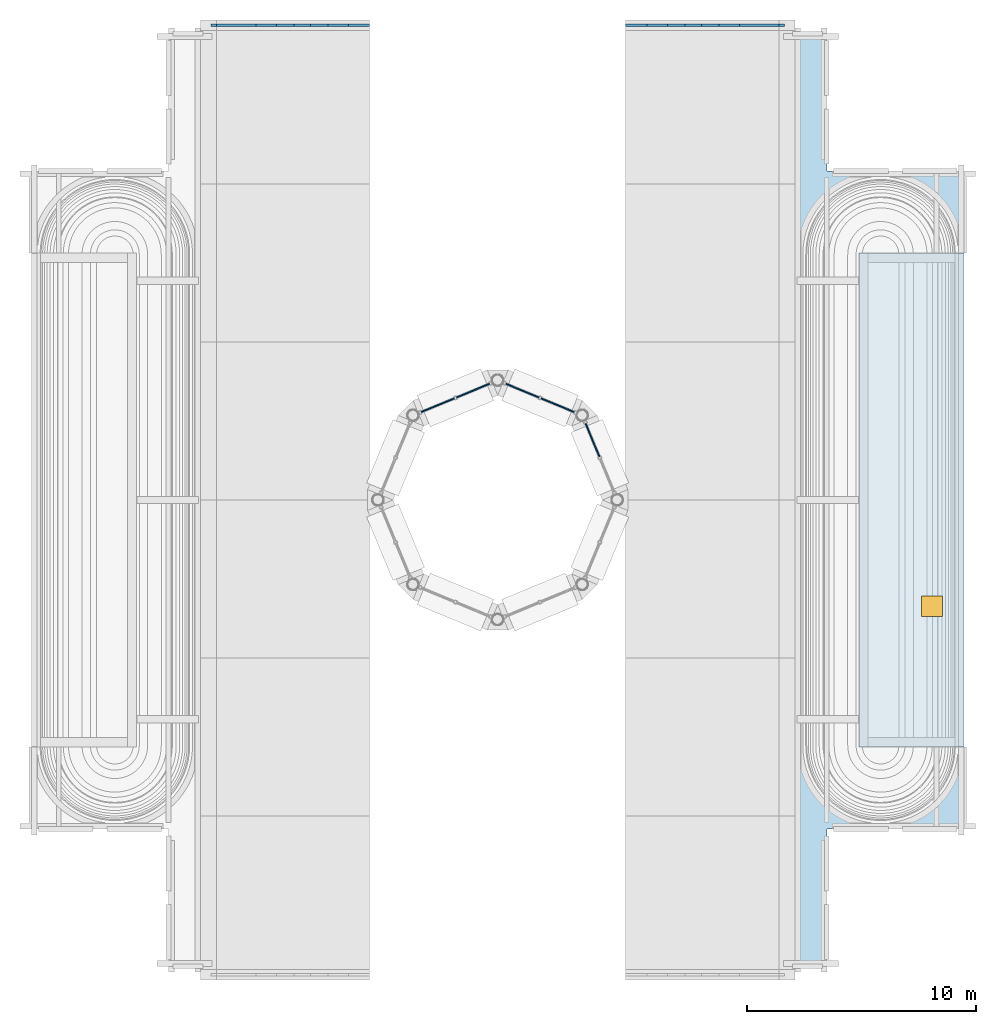
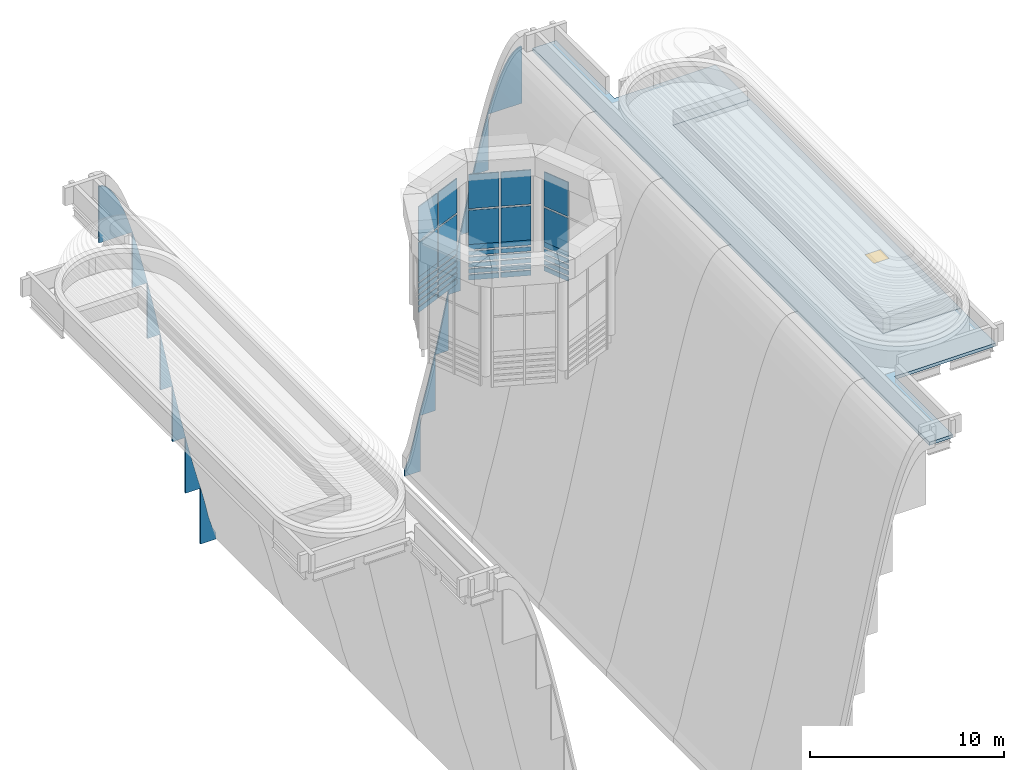
"""IFC4 building model written with IfcOpenShell, lengths in metres."""

from ifc_helpers import new_model, si_unit, direction, frame, origin, origin_2d, place, context, subcontext, project, spatial, polyline, rectangle, outline, extrude, material, layer, layer_set, type_object, element, fill, aggregate, save


model = new_model("IFC4")

# Units and contexts
model_context = context("Model", 3, precision=1e-05, world=origin(), true_north=direction((0.0, 1.0)))
body_context = subcontext(model_context, "Body", "Model", "MODEL_VIEW")
ifc_project = project(units=[si_unit("LENGTHUNIT", "METRE"), si_unit("AREAUNIT", "SQUARE_METRE"), si_unit("VOLUMEUNIT", "CUBIC_METRE"), si_unit("PLANEANGLEUNIT", "RADIAN"), si_unit("MASSUNIT", "GRAM", prefix="KILO")], contexts=[model_context])

# Site, building, storey
site_placement = place(None, origin())
site = spatial("IfcSite", under=ifc_project, at=site_placement, CompositionType="ELEMENT")
building_placement = place(site_placement, origin())
building = spatial("IfcBuilding", under=site, at=building_placement, Name="Cobrizo Arcos Hotel Tower", CompositionType="ELEMENT")
storey_1_placement = place(building_placement, frame((0.0, 0.0, 290.0)))
storey_1 = spatial("IfcBuildingStorey", under=building, at=storey_1_placement, Name="RF", CompositionType="ELEMENT", Elevation=290.0)

# Plates
ifc_material_1 = material(Name="Glass clear laminated low-e", Category="glass")
ifc_layer_1 = layer(ifc_material_1, 0.10009765625)
ifc_layer_set_1 = layer_set([ifc_layer_1], Name="CB-5 crown cheek glazing 100")
plate_type_1 = type_object("IfcPlateType", Name="CB-5 crown cheek glazing 100", PredefinedType="SHEET", material=ifc_layer_set_1)
plate_1_placement = place(storey_1_placement, frame((0.0, 20.72509765625, -24.5), z_axis=(0.0, 1.0, 0.0), x_axis=(-1.0, 0.0, 0.0)))
element("IfcPlate", 1, at=plate_1_placement, inside=storey_1, type_object=plate_type_1, Name="Crown cheek glazing WN0", PredefinedType="SHEET", context=body_context, shape_type="SweptSolid", body=[
    extrude(outline(polyline([(6.52392578125, 0.0), (6.52392578125, 3.56005859375), (6.29296875, 2.63818359375), (6.06201171875, 1.612548828125), (5.8310546875, 0.824951171875), (5.60009765625, 0.3984375), (5.60009765625, 0.0), (6.52392578125, 0.0)])), origin(), (0.0, 0.0, 1.0), 0.099853515625),
])
plate_2_placement = place(storey_1_placement, frame((0.0, 20.72509765625, -24.5), z_axis=(0.0, 1.0, 0.0), x_axis=(-1.0, 0.0, 0.0)))
element("IfcPlate", 2, at=plate_2_placement, inside=storey_1, type_object=plate_type_1, Name="Crown cheek glazing WN1", PredefinedType="SHEET", context=body_context, shape_type="SweptSolid", body=[
    extrude(outline(polyline([(7.422119140625, 3.5), (7.422119140625, 7.06005859375), (7.197509765625, 6.105712890625), (6.97314453125, 5.19970703125), (6.74853515625, 4.348876953125), (6.52392578125, 3.56005859375), (6.52392578125, 3.5), (7.422119140625, 3.5)])), origin(), (0.0, 0.0, 1.0), 0.099853515625),
])
plate_3_placement = place(storey_1_placement, frame((0.0, 20.72509765625, -24.5), z_axis=(0.0, 1.0, 0.0), x_axis=(-1.0, 0.0, 0.0)))
element("IfcPlate", 3, at=plate_3_placement, inside=storey_1, type_object=plate_type_1, Name="Crown cheek glazing WN2", PredefinedType="SHEET", context=body_context, shape_type="SweptSolid", body=[
    extrude(outline(polyline([(8.18505859375, 7.0), (8.18505859375, 10.56005859375), (7.9306640625, 9.360107421875), (7.676513671875, 8.189453125), (7.422119140625, 7.06005859375), (7.422119140625, 7.0), (8.18505859375, 7.0)])), origin(), (0.0, 0.0, 1.0), 0.099853515625),
])
plate_4_placement = place(storey_1_placement, frame((0.0, 20.72509765625, -24.5), z_axis=(0.0, 1.0, 0.0), x_axis=(-1.0, 0.0, 0.0)))
element("IfcPlate", 4, at=plate_4_placement, inside=storey_1, type_object=plate_type_1, Name="Crown cheek glazing WN3", PredefinedType="SHEET", context=body_context, shape_type="SweptSolid", body=[
    extrude(outline(polyline([(8.9150390625, 10.5), (8.9150390625, 14.06005859375), (8.671630859375, 12.895263671875), (8.42822265625, 11.724853515625), (8.18505859375, 10.56005859375), (8.18505859375, 10.5), (8.9150390625, 10.5)])), origin(), (0.0, 0.0, 1.0), 0.099853515625),
])
plate_5_placement = place(storey_1_placement, frame((0.0, 20.72509765625, -24.5), z_axis=(0.0, 1.0, 0.0), x_axis=(-1.0, 0.0, 0.0)))
element("IfcPlate", 5, at=plate_5_placement, inside=storey_1, type_object=plate_type_1, Name="Crown cheek glazing WN4", PredefinedType="SHEET", context=body_context, shape_type="SweptSolid", body=[
    extrude(outline(polyline([(9.677978515625, 14.0), (9.677978515625, 17.56005859375), (9.423583984375, 16.4306640625), (9.169189453125, 15.260009765625), (8.9150390625, 14.06005859375), (8.9150390625, 14.0), (9.677978515625, 14.0)])), origin(), (0.0, 0.0, 1.0), 0.099853515625),
])
plate_6_placement = place(storey_1_placement, frame((0.0, 20.72509765625, -24.5), z_axis=(0.0, 1.0, 0.0), x_axis=(-1.0, 0.0, 0.0)))
element("IfcPlate", 6, at=plate_6_placement, inside=storey_1, type_object=plate_type_1, Name="Crown cheek glazing WN5", PredefinedType="SHEET", context=body_context, shape_type="SweptSolid", body=[
    extrude(outline(polyline([(10.575927734375, 17.5), (10.575927734375, 21.06005859375), (10.3515625, 20.271240234375), (10.126953125, 19.420654296875), (9.90234375, 18.514404296875), (9.677978515625, 17.56005859375), (9.677978515625, 17.5), (10.575927734375, 17.5)])), origin(), (0.0, 0.0, 1.0), 0.099853515625),
])
plate_7_placement = place(storey_1_placement, frame((0.0, 20.72509765625, -24.5), z_axis=(0.0, 1.0, 0.0), x_axis=(-1.0, 0.0, 0.0)))
element("IfcPlate", 7, at=plate_7_placement, inside=storey_1, type_object=plate_type_1, Name="Crown cheek glazing WN6", PredefinedType="SHEET", context=body_context, shape_type="SweptSolid", body=[
    extrude(outline(polyline([(12.550048828125, 21.0), (12.550048828125, 24.56005859375), (12.30322265625, 24.502685546875), (12.056396484375, 24.330810546875), (11.809814453125, 24.046142578125), (11.56298828125, 23.6513671875), (11.31640625, 23.150390625), (11.069580078125, 22.54736328125), (10.82275390625, 21.8486328125), (10.575927734375, 21.06005859375), (10.575927734375, 21.0), (12.550048828125, 21.0)])), origin(), (0.0, 0.0, 1.0), 0.099853515625),
])
plate_8_placement = place(storey_1_placement, frame((0.0, 20.72509765625, -24.5), z_axis=(0.0, 1.0, 0.0), x_axis=(-1.0, 0.0, 0.0)))
element("IfcPlate", 8, at=plate_8_placement, inside=storey_1, type_object=plate_type_1, Name="Crown cheek glazing EN0", PredefinedType="SHEET", context=body_context, shape_type="SweptSolid", body=[
    extrude(outline(polyline([(-5.60009765625, 0.0), (-5.60009765625, 0.3984375), (-5.8310546875, 0.824951171875), (-6.06201171875, 1.612548828125), (-6.29296875, 2.63818359375), (-6.52392578125, 3.56005859375), (-6.52392578125, 0.0), (-5.60009765625, 0.0)])), origin(), (0.0, 0.0, 1.0), 0.099853515625),
])
plate_9_placement = place(storey_1_placement, frame((0.0, 20.72509765625, -24.5), z_axis=(0.0, 1.0, 0.0), x_axis=(-1.0, 0.0, 0.0)))
element("IfcPlate", 9, at=plate_9_placement, inside=storey_1, type_object=plate_type_1, Name="Crown cheek glazing EN1", PredefinedType="SHEET", context=body_context, shape_type="SweptSolid", body=[
    extrude(outline(polyline([(-6.52392578125, 3.5), (-6.52392578125, 3.56005859375), (-6.74853515625, 4.348876953125), (-6.97314453125, 5.19970703125), (-7.197509765625, 6.105712890625), (-7.422119140625, 7.06005859375), (-7.422119140625, 3.5), (-6.52392578125, 3.5)])), origin(), (0.0, 0.0, 1.0), 0.099853515625),
])
plate_10_placement = place(storey_1_placement, frame((0.0, 20.72509765625, -24.5), z_axis=(0.0, 1.0, 0.0), x_axis=(-1.0, 0.0, 0.0)))
element("IfcPlate", 10, at=plate_10_placement, inside=storey_1, type_object=plate_type_1, Name="Crown cheek glazing EN2", PredefinedType="SHEET", context=body_context, shape_type="SweptSolid", body=[
    extrude(outline(polyline([(-7.422119140625, 7.0), (-7.422119140625, 7.06005859375), (-7.676513671875, 8.189453125), (-7.9306640625, 9.360107421875), (-8.18505859375, 10.56005859375), (-8.18505859375, 7.0), (-7.422119140625, 7.0)])), origin(), (0.0, 0.0, 1.0), 0.099853515625),
])
plate_11_placement = place(storey_1_placement, frame((0.0, 20.72509765625, -24.5), z_axis=(0.0, 1.0, 0.0), x_axis=(-1.0, 0.0, 0.0)))
element("IfcPlate", 11, at=plate_11_placement, inside=storey_1, type_object=plate_type_1, Name="Crown cheek glazing EN3", PredefinedType="SHEET", context=body_context, shape_type="SweptSolid", body=[
    extrude(outline(polyline([(-8.18505859375, 10.5), (-8.18505859375, 10.56005859375), (-8.42822265625, 11.724853515625), (-8.671630859375, 12.895263671875), (-8.9150390625, 14.06005859375), (-8.9150390625, 10.5), (-8.18505859375, 10.5)])), origin(), (0.0, 0.0, 1.0), 0.099853515625),
])
plate_12_placement = place(storey_1_placement, frame((0.0, 20.72509765625, -24.5), z_axis=(0.0, 1.0, 0.0), x_axis=(-1.0, 0.0, 0.0)))
element("IfcPlate", 12, at=plate_12_placement, inside=storey_1, type_object=plate_type_1, Name="Crown cheek glazing EN4", PredefinedType="SHEET", context=body_context, shape_type="SweptSolid", body=[
    extrude(outline(polyline([(-8.9150390625, 14.0), (-8.9150390625, 14.06005859375), (-9.169189453125, 15.260009765625), (-9.423583984375, 16.4306640625), (-9.677978515625, 17.56005859375), (-9.677978515625, 14.0), (-8.9150390625, 14.0)])), origin(), (0.0, 0.0, 1.0), 0.099853515625),
])
plate_13_placement = place(storey_1_placement, frame((0.0, 20.72509765625, -24.5), z_axis=(0.0, 1.0, 0.0), x_axis=(-1.0, 0.0, 0.0)))
element("IfcPlate", 13, at=plate_13_placement, inside=storey_1, type_object=plate_type_1, Name="Crown cheek glazing EN5", PredefinedType="SHEET", context=body_context, shape_type="SweptSolid", body=[
    extrude(outline(polyline([(-9.677978515625, 17.5), (-9.677978515625, 17.56005859375), (-9.90234375, 18.514404296875), (-10.126953125, 19.420654296875), (-10.3515625, 20.271240234375), (-10.575927734375, 21.06005859375), (-10.575927734375, 17.5), (-9.677978515625, 17.5)])), origin(), (0.0, 0.0, 1.0), 0.099853515625),
])
plate_14_placement = place(storey_1_placement, frame((0.0, 20.72509765625, -24.5), z_axis=(0.0, 1.0, 0.0), x_axis=(-1.0, 0.0, 0.0)))
element("IfcPlate", 14, at=plate_14_placement, inside=storey_1, type_object=plate_type_1, Name="Crown cheek glazing EN6", PredefinedType="SHEET", context=body_context, shape_type="SweptSolid", body=[
    extrude(outline(polyline([(-10.575927734375, 21.0), (-10.575927734375, 21.06005859375), (-10.82275390625, 21.8486328125), (-11.069580078125, 22.54736328125), (-11.31640625, 23.150390625), (-11.56298828125, 23.6513671875), (-11.809814453125, 24.046142578125), (-12.056396484375, 24.330810546875), (-12.30322265625, 24.502685546875), (-12.550048828125, 24.56005859375), (-12.550048828125, 21.0), (-10.575927734375, 21.0)])), origin(), (0.0, 0.0, 1.0), 0.099853515625),
])

# Curtain wall, plates
ifc_material_2 = material(Name="Aluminium 6063-T6 anodised bronze", Category="aluminium")
curtain_wall_type = type_object("IfcCurtainWallType", Name="CW-D plant louvre wall", PredefinedType="NOTDEFINED", material=ifc_material_2)
curtain_wall_1_placement = place(storey_1_placement, origin())
curtain_wall_1 = element("IfcCurtainWall", 15, at=curtain_wall_1_placement, inside=storey_1, type_object=curtain_wall_type, Name="CW-D drum louvre wall t3L-1", PredefinedType="NOTDEFINED")
ifc_layer_2 = layer(ifc_material_1, 0.0400390625)
ifc_layer_set_2 = layer_set([ifc_layer_2], Name="CW-D glass panel")
plate_type_2 = type_object("IfcPlateType", Name="CW-D glass panel", PredefinedType="CURTAIN_PANEL", material=ifc_layer_set_2)
plate_15_placement = place(storey_1_placement, frame((4.147216796875, 2.62060546875, 1.400146484375), z_axis=(0.0, 0.0, 1.0), x_axis=(-0.382683432365, 0.923879532511, 0.0)))
plate_15 = element("IfcPlate", 16, at=plate_15_placement, type_object=plate_type_2, Name="CW-D louvre panel 2-0", PredefinedType="CURTAIN_PANEL", context=body_context, shape_type="SweptSolid", body=[
    extrude(rectangle(XDim=1.568359375, YDim=0.06005859375, at=origin_2d()), origin(), (0.0, 0.0, 1.0), 2.14990234375),
])
plate_16_placement = place(storey_1_placement, frame((4.147216796875, 2.62060546875, 3.650146484375), z_axis=(0.0, 0.0, 1.0), x_axis=(-0.382683432365, 0.923879532511, 0.0)))
plate_16 = element("IfcPlate", 17, at=plate_16_placement, type_object=plate_type_2, Name="CW-D louvre panel 2-1", PredefinedType="CURTAIN_PANEL", context=body_context, shape_type="SweptSolid", body=[
    extrude(rectangle(XDim=1.568359375, YDim=0.06005859375, at=origin_2d()), origin(), (0.0, 0.0, 1.0), 2.14990234375),
])
aggregate(curtain_wall_1, [plate_15, plate_16])

curtain_wall_2_placement = place(storey_1_placement, origin())
curtain_wall_2 = element("IfcCurtainWall", 18, at=curtain_wall_2_placement, inside=storey_1, type_object=curtain_wall_type, Name="CW-D drum louvre wall t3L-2", PredefinedType="NOTDEFINED")
plate_17_placement = place(storey_1_placement, frame((2.62060546875, 4.147216796875, 1.400146484375), z_axis=(0.0, 0.0, 1.0), x_axis=(-0.923879532511, 0.382683432365, 0.0)))
plate_17 = element("IfcPlate", 19, at=plate_17_placement, type_object=plate_type_2, Name="CW-D louvre panel 1-0", PredefinedType="CURTAIN_PANEL", context=body_context, shape_type="SweptSolid", body=[
    extrude(rectangle(XDim=1.568359375, YDim=0.06005859375, at=origin_2d()), origin(), (0.0, 0.0, 1.0), 2.14990234375),
])
plate_18_placement = place(storey_1_placement, frame((2.62060546875, 4.147216796875, 3.650146484375), z_axis=(0.0, 0.0, 1.0), x_axis=(-0.923879532511, 0.382683432365, 0.0)))
plate_18 = element("IfcPlate", 20, at=plate_18_placement, type_object=plate_type_2, Name="CW-D louvre panel 1-1", PredefinedType="CURTAIN_PANEL", context=body_context, shape_type="SweptSolid", body=[
    extrude(rectangle(XDim=1.568359375, YDim=0.06005859375, at=origin_2d()), origin(), (0.0, 0.0, 1.0), 2.14990234375),
])
plate_19_placement = place(storey_1_placement, frame((1.079345703125, 4.785400390625, 1.400146484375), z_axis=(0.0, 0.0, 1.0), x_axis=(-0.923879532511, 0.382683432365, 0.0)))
plate_19 = element("IfcPlate", 21, at=plate_19_placement, type_object=plate_type_2, Name="CW-D louvre panel 2-0", PredefinedType="CURTAIN_PANEL", context=body_context, shape_type="SweptSolid", body=[
    extrude(rectangle(XDim=1.568359375, YDim=0.06005859375, at=origin_2d()), origin(), (0.0, 0.0, 1.0), 2.14990234375),
])
plate_20_placement = place(storey_1_placement, frame((1.079345703125, 4.785400390625, 3.650146484375), z_axis=(0.0, 0.0, 1.0), x_axis=(-0.923879532511, 0.382683432365, 0.0)))
plate_20 = element("IfcPlate", 22, at=plate_20_placement, type_object=plate_type_2, Name="CW-D louvre panel 2-1", PredefinedType="CURTAIN_PANEL", context=body_context, shape_type="SweptSolid", body=[
    extrude(rectangle(XDim=1.568359375, YDim=0.06005859375, at=origin_2d()), origin(), (0.0, 0.0, 1.0), 2.14990234375),
])
aggregate(curtain_wall_2, [plate_17, plate_18, plate_19, plate_20])

curtain_wall_3_placement = place(storey_1_placement, origin())
curtain_wall_3 = element("IfcCurtainWall", 23, at=curtain_wall_3_placement, inside=storey_1, type_object=curtain_wall_type, Name="CW-D drum louvre wall t3L-3", PredefinedType="NOTDEFINED")
plate_21_placement = place(storey_1_placement, frame((-1.079345703125, 4.785400390625, 1.400146484375), z_axis=(0.0, 0.0, 1.0), x_axis=(-0.923879532511, -0.382683432365, 0.0)))
plate_21 = element("IfcPlate", 24, at=plate_21_placement, type_object=plate_type_2, Name="CW-D louvre panel 1-0", PredefinedType="CURTAIN_PANEL", context=body_context, shape_type="SweptSolid", body=[
    extrude(rectangle(XDim=1.568359375, YDim=0.06005859375, at=origin_2d()), origin(), (0.0, 0.0, 1.0), 2.14990234375),
])
plate_22_placement = place(storey_1_placement, frame((-1.079345703125, 4.785400390625, 3.650146484375), z_axis=(0.0, 0.0, 1.0), x_axis=(-0.923879532511, -0.382683432365, 0.0)))
plate_22 = element("IfcPlate", 25, at=plate_22_placement, type_object=plate_type_2, Name="CW-D louvre panel 1-1", PredefinedType="CURTAIN_PANEL", context=body_context, shape_type="SweptSolid", body=[
    extrude(rectangle(XDim=1.568359375, YDim=0.06005859375, at=origin_2d()), origin(), (0.0, 0.0, 1.0), 2.14990234375),
])
plate_23_placement = place(storey_1_placement, frame((-2.62060546875, 4.147216796875, 1.400146484375), z_axis=(0.0, 0.0, 1.0), x_axis=(-0.923879532511, -0.382683432365, 0.0)))
plate_23 = element("IfcPlate", 26, at=plate_23_placement, type_object=plate_type_2, Name="CW-D louvre panel 2-0", PredefinedType="CURTAIN_PANEL", context=body_context, shape_type="SweptSolid", body=[
    extrude(rectangle(XDim=1.568359375, YDim=0.06005859375, at=origin_2d()), origin(), (0.0, 0.0, 1.0), 2.14990234375),
])
plate_24_placement = place(storey_1_placement, frame((-2.62060546875, 4.147216796875, 3.650146484375), z_axis=(0.0, 0.0, 1.0), x_axis=(-0.923879532511, -0.382683432365, 0.0)))
plate_24 = element("IfcPlate", 27, at=plate_24_placement, type_object=plate_type_2, Name="CW-D louvre panel 2-1", PredefinedType="CURTAIN_PANEL", context=body_context, shape_type="SweptSolid", body=[
    extrude(rectangle(XDim=1.568359375, YDim=0.06005859375, at=origin_2d()), origin(), (0.0, 0.0, 1.0), 2.14990234375),
])
aggregate(curtain_wall_3, [plate_21, plate_22, plate_23, plate_24])

curtain_wall_4_placement = place(storey_1_placement, origin())
curtain_wall_4 = element("IfcCurtainWall", 28, at=curtain_wall_4_placement, inside=storey_1, type_object=curtain_wall_type, Name="CW-D drum louvre wall t3-1", PredefinedType="NOTDEFINED")
ifc_material_3 = material(Name="Aluminium composite panel pale metal", Category="aluminium")
ifc_layer_3 = layer(ifc_material_3, 0.06005859375)
ifc_layer_set_3 = layer_set([ifc_layer_3], Name="CW-D spandrel panel")
plate_type_3 = type_object("IfcPlateType", Name="CW-D spandrel panel", PredefinedType="CURTAIN_PANEL", material=ifc_layer_set_3)
plate_25_placement = place(storey_1_placement, frame((4.147216796875, 2.62060546875, -0.4111328125), z_axis=(0.0, 0.0, 1.0), x_axis=(-0.382683432365, 0.923879532511, 0.0)))
plate_25 = element("IfcPlate", 29, at=plate_25_placement, type_object=plate_type_3, Name="CW-D louvre panel 2-1", PredefinedType="CURTAIN_PANEL", context=body_context, shape_type="SweptSolid", body=[
    extrude(rectangle(XDim=1.568359375, YDim=0.06005859375, at=origin_2d()), origin(), (0.0, 0.0, 1.0), 0.272216796875),
])
plate_26_placement = place(storey_1_placement, frame((4.147216796875, 2.62060546875, -0.0390625), z_axis=(0.0, 0.0, 1.0), x_axis=(-0.382683432365, 0.923879532511, 0.0)))
plate_26 = element("IfcPlate", 30, at=plate_26_placement, type_object=plate_type_3, Name="CW-D louvre panel 2-2", PredefinedType="CURTAIN_PANEL", context=body_context, shape_type="SweptSolid", body=[
    extrude(rectangle(XDim=1.568359375, YDim=0.06005859375, at=origin_2d()), origin(), (0.0, 0.0, 1.0), 0.272216796875),
])
plate_27_placement = place(storey_1_placement, frame((4.147216796875, 2.62060546875, 0.33349609375), z_axis=(0.0, 0.0, 1.0), x_axis=(-0.382683432365, 0.923879532511, 0.0)))
plate_27 = element("IfcPlate", 31, at=plate_27_placement, type_object=plate_type_3, Name="CW-D louvre panel 2-3", PredefinedType="CURTAIN_PANEL", context=body_context, shape_type="SweptSolid", body=[
    extrude(rectangle(XDim=1.568359375, YDim=0.06005859375, at=origin_2d()), origin(), (0.0, 0.0, 1.0), 0.272216796875),
])
plate_28_placement = place(storey_1_placement, frame((4.147216796875, 2.62060546875, 0.70556640625), z_axis=(0.0, 0.0, 1.0), x_axis=(-0.382683432365, 0.923879532511, 0.0)))
plate_28 = element("IfcPlate", 32, at=plate_28_placement, type_object=plate_type_3, Name="CW-D louvre panel 2-4", PredefinedType="CURTAIN_PANEL", context=body_context, shape_type="SweptSolid", body=[
    extrude(rectangle(XDim=1.568359375, YDim=0.06005859375, at=origin_2d()), origin(), (0.0, 0.0, 1.0), 0.272216796875),
])
plate_29_placement = place(storey_1_placement, frame((4.147216796875, 2.62060546875, 1.077880859375), z_axis=(0.0, 0.0, 1.0), x_axis=(-0.382683432365, 0.923879532511, 0.0)))
plate_29 = element("IfcPlate", 33, at=plate_29_placement, type_object=plate_type_3, Name="CW-D louvre panel 2-5", PredefinedType="CURTAIN_PANEL", context=body_context, shape_type="SweptSolid", body=[
    extrude(rectangle(XDim=1.568359375, YDim=0.06005859375, at=origin_2d()), origin(), (0.0, 0.0, 1.0), 0.322265625),
])
aggregate(curtain_wall_4, [plate_25, plate_26, plate_27, plate_28, plate_29])

curtain_wall_5_placement = place(storey_1_placement, origin())
curtain_wall_5 = element("IfcCurtainWall", 34, at=curtain_wall_5_placement, inside=storey_1, type_object=curtain_wall_type, Name="CW-D drum louvre wall t3-2", PredefinedType="NOTDEFINED")
plate_30_placement = place(storey_1_placement, frame((2.62060546875, 4.147216796875, -0.833251953125), z_axis=(0.0, 0.0, 1.0), x_axis=(-0.923879532511, 0.382683432365, 0.0)))
plate_30 = element("IfcPlate", 35, at=plate_30_placement, type_object=plate_type_3, Name="CW-D louvre panel 1-0", PredefinedType="CURTAIN_PANEL", context=body_context, shape_type="SweptSolid", body=[
    extrude(rectangle(XDim=1.568359375, YDim=0.06005859375, at=origin_2d()), origin(), (0.0, 0.0, 1.0), 0.322265625),
])
plate_31_placement = place(storey_1_placement, frame((2.62060546875, 4.147216796875, -0.4111328125), z_axis=(0.0, 0.0, 1.0), x_axis=(-0.923879532511, 0.382683432365, 0.0)))
plate_31 = element("IfcPlate", 36, at=plate_31_placement, type_object=plate_type_3, Name="CW-D louvre panel 1-1", PredefinedType="CURTAIN_PANEL", context=body_context, shape_type="SweptSolid", body=[
    extrude(rectangle(XDim=1.568359375, YDim=0.06005859375, at=origin_2d()), origin(), (0.0, 0.0, 1.0), 0.272216796875),
])
plate_32_placement = place(storey_1_placement, frame((2.62060546875, 4.147216796875, -0.0390625), z_axis=(0.0, 0.0, 1.0), x_axis=(-0.923879532511, 0.382683432365, 0.0)))
plate_32 = element("IfcPlate", 37, at=plate_32_placement, type_object=plate_type_3, Name="CW-D louvre panel 1-2", PredefinedType="CURTAIN_PANEL", context=body_context, shape_type="SweptSolid", body=[
    extrude(rectangle(XDim=1.568359375, YDim=0.06005859375, at=origin_2d()), origin(), (0.0, 0.0, 1.0), 0.272216796875),
])
plate_33_placement = place(storey_1_placement, frame((2.62060546875, 4.147216796875, 0.33349609375), z_axis=(0.0, 0.0, 1.0), x_axis=(-0.923879532511, 0.382683432365, 0.0)))
plate_33 = element("IfcPlate", 38, at=plate_33_placement, type_object=plate_type_3, Name="CW-D louvre panel 1-3", PredefinedType="CURTAIN_PANEL", context=body_context, shape_type="SweptSolid", body=[
    extrude(rectangle(XDim=1.568359375, YDim=0.06005859375, at=origin_2d()), origin(), (0.0, 0.0, 1.0), 0.272216796875),
])
plate_34_placement = place(storey_1_placement, frame((2.62060546875, 4.147216796875, 0.70556640625), z_axis=(0.0, 0.0, 1.0), x_axis=(-0.923879532511, 0.382683432365, 0.0)))
plate_34 = element("IfcPlate", 39, at=plate_34_placement, type_object=plate_type_3, Name="CW-D louvre panel 1-4", PredefinedType="CURTAIN_PANEL", context=body_context, shape_type="SweptSolid", body=[
    extrude(rectangle(XDim=1.568359375, YDim=0.06005859375, at=origin_2d()), origin(), (0.0, 0.0, 1.0), 0.272216796875),
])
plate_35_placement = place(storey_1_placement, frame((2.62060546875, 4.147216796875, 1.077880859375), z_axis=(0.0, 0.0, 1.0), x_axis=(-0.923879532511, 0.382683432365, 0.0)))
plate_35 = element("IfcPlate", 40, at=plate_35_placement, type_object=plate_type_3, Name="CW-D louvre panel 1-5", PredefinedType="CURTAIN_PANEL", context=body_context, shape_type="SweptSolid", body=[
    extrude(rectangle(XDim=1.568359375, YDim=0.06005859375, at=origin_2d()), origin(), (0.0, 0.0, 1.0), 0.322265625),
])
plate_36_placement = place(storey_1_placement, frame((1.079345703125, 4.785400390625, -0.833251953125), z_axis=(0.0, 0.0, 1.0), x_axis=(-0.923879532511, 0.382683432365, 0.0)))
plate_36 = element("IfcPlate", 41, at=plate_36_placement, type_object=plate_type_3, Name="CW-D louvre panel 2-0", PredefinedType="CURTAIN_PANEL", context=body_context, shape_type="SweptSolid", body=[
    extrude(rectangle(XDim=1.568359375, YDim=0.06005859375, at=origin_2d()), origin(), (0.0, 0.0, 1.0), 0.322265625),
])
plate_37_placement = place(storey_1_placement, frame((1.079345703125, 4.785400390625, -0.4111328125), z_axis=(0.0, 0.0, 1.0), x_axis=(-0.923879532511, 0.382683432365, 0.0)))
plate_37 = element("IfcPlate", 42, at=plate_37_placement, type_object=plate_type_3, Name="CW-D louvre panel 2-1", PredefinedType="CURTAIN_PANEL", context=body_context, shape_type="SweptSolid", body=[
    extrude(rectangle(XDim=1.568359375, YDim=0.06005859375, at=origin_2d()), origin(), (0.0, 0.0, 1.0), 0.272216796875),
])
plate_38_placement = place(storey_1_placement, frame((1.079345703125, 4.785400390625, -0.0390625), z_axis=(0.0, 0.0, 1.0), x_axis=(-0.923879532511, 0.382683432365, 0.0)))
plate_38 = element("IfcPlate", 43, at=plate_38_placement, type_object=plate_type_3, Name="CW-D louvre panel 2-2", PredefinedType="CURTAIN_PANEL", context=body_context, shape_type="SweptSolid", body=[
    extrude(rectangle(XDim=1.568359375, YDim=0.06005859375, at=origin_2d()), origin(), (0.0, 0.0, 1.0), 0.272216796875),
])
plate_39_placement = place(storey_1_placement, frame((1.079345703125, 4.785400390625, 0.33349609375), z_axis=(0.0, 0.0, 1.0), x_axis=(-0.923879532511, 0.382683432365, 0.0)))
plate_39 = element("IfcPlate", 44, at=plate_39_placement, type_object=plate_type_3, Name="CW-D louvre panel 2-3", PredefinedType="CURTAIN_PANEL", context=body_context, shape_type="SweptSolid", body=[
    extrude(rectangle(XDim=1.568359375, YDim=0.06005859375, at=origin_2d()), origin(), (0.0, 0.0, 1.0), 0.272216796875),
])
plate_40_placement = place(storey_1_placement, frame((1.079345703125, 4.785400390625, 0.70556640625), z_axis=(0.0, 0.0, 1.0), x_axis=(-0.923879532511, 0.382683432365, 0.0)))
plate_40 = element("IfcPlate", 45, at=plate_40_placement, type_object=plate_type_3, Name="CW-D louvre panel 2-4", PredefinedType="CURTAIN_PANEL", context=body_context, shape_type="SweptSolid", body=[
    extrude(rectangle(XDim=1.568359375, YDim=0.06005859375, at=origin_2d()), origin(), (0.0, 0.0, 1.0), 0.272216796875),
])
plate_41_placement = place(storey_1_placement, frame((1.079345703125, 4.785400390625, 1.077880859375), z_axis=(0.0, 0.0, 1.0), x_axis=(-0.923879532511, 0.382683432365, 0.0)))
plate_41 = element("IfcPlate", 46, at=plate_41_placement, type_object=plate_type_3, Name="CW-D louvre panel 2-5", PredefinedType="CURTAIN_PANEL", context=body_context, shape_type="SweptSolid", body=[
    extrude(rectangle(XDim=1.568359375, YDim=0.06005859375, at=origin_2d()), origin(), (0.0, 0.0, 1.0), 0.322265625),
])
aggregate(curtain_wall_5, [plate_30, plate_31, plate_32, plate_33, plate_34, plate_35, plate_36, plate_37, plate_38, plate_39, plate_40, plate_41])

curtain_wall_6_placement = place(storey_1_placement, origin())
curtain_wall_6 = element("IfcCurtainWall", 47, at=curtain_wall_6_placement, inside=storey_1, type_object=curtain_wall_type, Name="CW-D drum louvre wall t3-3", PredefinedType="NOTDEFINED")
plate_42_placement = place(storey_1_placement, frame((-1.079345703125, 4.785400390625, -0.833251953125), z_axis=(0.0, 0.0, 1.0), x_axis=(-0.923879532511, -0.382683432365, 0.0)))
plate_42 = element("IfcPlate", 48, at=plate_42_placement, type_object=plate_type_3, Name="CW-D louvre panel 1-0", PredefinedType="CURTAIN_PANEL", context=body_context, shape_type="SweptSolid", body=[
    extrude(rectangle(XDim=1.568359375, YDim=0.06005859375, at=origin_2d()), origin(), (0.0, 0.0, 1.0), 0.322265625),
])
plate_43_placement = place(storey_1_placement, frame((-1.079345703125, 4.785400390625, -0.4111328125), z_axis=(0.0, 0.0, 1.0), x_axis=(-0.923879532511, -0.382683432365, 0.0)))
plate_43 = element("IfcPlate", 49, at=plate_43_placement, type_object=plate_type_3, Name="CW-D louvre panel 1-1", PredefinedType="CURTAIN_PANEL", context=body_context, shape_type="SweptSolid", body=[
    extrude(rectangle(XDim=1.568359375, YDim=0.06005859375, at=origin_2d()), origin(), (0.0, 0.0, 1.0), 0.272216796875),
])
plate_44_placement = place(storey_1_placement, frame((-1.079345703125, 4.785400390625, -0.0390625), z_axis=(0.0, 0.0, 1.0), x_axis=(-0.923879532511, -0.382683432365, 0.0)))
plate_44 = element("IfcPlate", 50, at=plate_44_placement, type_object=plate_type_3, Name="CW-D louvre panel 1-2", PredefinedType="CURTAIN_PANEL", context=body_context, shape_type="SweptSolid", body=[
    extrude(rectangle(XDim=1.568359375, YDim=0.06005859375, at=origin_2d()), origin(), (0.0, 0.0, 1.0), 0.272216796875),
])
plate_45_placement = place(storey_1_placement, frame((-1.079345703125, 4.785400390625, 0.33349609375), z_axis=(0.0, 0.0, 1.0), x_axis=(-0.923879532511, -0.382683432365, 0.0)))
plate_45 = element("IfcPlate", 51, at=plate_45_placement, type_object=plate_type_3, Name="CW-D louvre panel 1-3", PredefinedType="CURTAIN_PANEL", context=body_context, shape_type="SweptSolid", body=[
    extrude(rectangle(XDim=1.568359375, YDim=0.06005859375, at=origin_2d()), origin(), (0.0, 0.0, 1.0), 0.272216796875),
])
plate_46_placement = place(storey_1_placement, frame((-1.079345703125, 4.785400390625, 0.70556640625), z_axis=(0.0, 0.0, 1.0), x_axis=(-0.923879532511, -0.382683432365, 0.0)))
plate_46 = element("IfcPlate", 52, at=plate_46_placement, type_object=plate_type_3, Name="CW-D louvre panel 1-4", PredefinedType="CURTAIN_PANEL", context=body_context, shape_type="SweptSolid", body=[
    extrude(rectangle(XDim=1.568359375, YDim=0.06005859375, at=origin_2d()), origin(), (0.0, 0.0, 1.0), 0.272216796875),
])
plate_47_placement = place(storey_1_placement, frame((-1.079345703125, 4.785400390625, 1.077880859375), z_axis=(0.0, 0.0, 1.0), x_axis=(-0.923879532511, -0.382683432365, 0.0)))
plate_47 = element("IfcPlate", 53, at=plate_47_placement, type_object=plate_type_3, Name="CW-D louvre panel 1-5", PredefinedType="CURTAIN_PANEL", context=body_context, shape_type="SweptSolid", body=[
    extrude(rectangle(XDim=1.568359375, YDim=0.06005859375, at=origin_2d()), origin(), (0.0, 0.0, 1.0), 0.322265625),
])
plate_48_placement = place(storey_1_placement, frame((-2.62060546875, 4.147216796875, -0.833251953125), z_axis=(0.0, 0.0, 1.0), x_axis=(-0.923879532511, -0.382683432365, 0.0)))
plate_48 = element("IfcPlate", 54, at=plate_48_placement, type_object=plate_type_3, Name="CW-D louvre panel 2-0", PredefinedType="CURTAIN_PANEL", context=body_context, shape_type="SweptSolid", body=[
    extrude(rectangle(XDim=1.568359375, YDim=0.06005859375, at=origin_2d()), origin(), (0.0, 0.0, 1.0), 0.322265625),
])
plate_49_placement = place(storey_1_placement, frame((-2.62060546875, 4.147216796875, -0.4111328125), z_axis=(0.0, 0.0, 1.0), x_axis=(-0.923879532511, -0.382683432365, 0.0)))
plate_49 = element("IfcPlate", 55, at=plate_49_placement, type_object=plate_type_3, Name="CW-D louvre panel 2-1", PredefinedType="CURTAIN_PANEL", context=body_context, shape_type="SweptSolid", body=[
    extrude(rectangle(XDim=1.568359375, YDim=0.06005859375, at=origin_2d()), origin(), (0.0, 0.0, 1.0), 0.272216796875),
])
plate_50_placement = place(storey_1_placement, frame((-2.62060546875, 4.147216796875, -0.0390625), z_axis=(0.0, 0.0, 1.0), x_axis=(-0.923879532511, -0.382683432365, 0.0)))
plate_50 = element("IfcPlate", 56, at=plate_50_placement, type_object=plate_type_3, Name="CW-D louvre panel 2-2", PredefinedType="CURTAIN_PANEL", context=body_context, shape_type="SweptSolid", body=[
    extrude(rectangle(XDim=1.568359375, YDim=0.06005859375, at=origin_2d()), origin(), (0.0, 0.0, 1.0), 0.272216796875),
])
plate_51_placement = place(storey_1_placement, frame((-2.62060546875, 4.147216796875, 0.33349609375), z_axis=(0.0, 0.0, 1.0), x_axis=(-0.923879532511, -0.382683432365, 0.0)))
plate_51 = element("IfcPlate", 57, at=plate_51_placement, type_object=plate_type_3, Name="CW-D louvre panel 2-3", PredefinedType="CURTAIN_PANEL", context=body_context, shape_type="SweptSolid", body=[
    extrude(rectangle(XDim=1.568359375, YDim=0.06005859375, at=origin_2d()), origin(), (0.0, 0.0, 1.0), 0.272216796875),
])
plate_52_placement = place(storey_1_placement, frame((-2.62060546875, 4.147216796875, 0.70556640625), z_axis=(0.0, 0.0, 1.0), x_axis=(-0.923879532511, -0.382683432365, 0.0)))
plate_52 = element("IfcPlate", 58, at=plate_52_placement, type_object=plate_type_3, Name="CW-D louvre panel 2-4", PredefinedType="CURTAIN_PANEL", context=body_context, shape_type="SweptSolid", body=[
    extrude(rectangle(XDim=1.568359375, YDim=0.06005859375, at=origin_2d()), origin(), (0.0, 0.0, 1.0), 0.272216796875),
])
plate_53_placement = place(storey_1_placement, frame((-2.62060546875, 4.147216796875, 1.077880859375), z_axis=(0.0, 0.0, 1.0), x_axis=(-0.923879532511, -0.382683432365, 0.0)))
plate_53 = element("IfcPlate", 59, at=plate_53_placement, type_object=plate_type_3, Name="CW-D louvre panel 2-5", PredefinedType="CURTAIN_PANEL", context=body_context, shape_type="SweptSolid", body=[
    extrude(rectangle(XDim=1.568359375, YDim=0.06005859375, at=origin_2d()), origin(), (0.0, 0.0, 1.0), 0.322265625),
])
aggregate(curtain_wall_6, [plate_42, plate_43, plate_44, plate_45, plate_46, plate_47, plate_48, plate_49, plate_50, plate_51, plate_52, plate_53])

# Slab, opening
ifc_material_4 = material(Name="Concrete f'c 40 MPa", Category="concrete")
ifc_layer_4 = layer(ifc_material_4, 0.25)
ifc_layer_set_4 = layer_set([ifc_layer_4], Name="RC core roof slab 250 f'c 40")
slab_type_1 = type_object("IfcSlabType", Name="RC core roof slab 250 f'c 40", PredefinedType="ROOF", material=ifc_layer_set_4)
slab_1_placement = place(storey_1_placement, frame((0.0, 0.0, -0.25)))
slab_1 = element("IfcSlab", 60, at=slab_1_placement, inside=storey_1, type_object=slab_type_1, Name="Core roof slab CR1, east core, RF", PredefinedType="ROOF", context=body_context, shape_type="SweptSolid", body=[
    extrude(outline(polyline([(20.39990234375, -10.800048828125), (20.39990234375, 10.800048828125), (15.800048828125, 10.800048828125), (15.800048828125, -10.800048828125), (20.39990234375, -10.800048828125)])), origin(), (0.0, 0.0, 1.0), 0.25),
])
opening_placement = place(slab_1_placement, frame((19.0, -4.639892578125, 0.0)))
opening = element("IfcOpeningElement", 61, at=opening_placement, cuts=slab_1, Name="Opening RH2", PredefinedType="OPENING", context=body_context, shape_type="SweptSolid", body=[
    extrude(rectangle(XDim=0.89990234375, YDim=0.89990234375, at=origin_2d()), frame((0.0, 0.0, -0.011962890625)), (0.0, 0.0, 1.0), 0.27392578125),
])

# Storey
storey_2_placement = place(building_placement, frame((0.0, 0.0, 286.5)))
storey_2 = spatial("IfcBuildingStorey", under=building, at=storey_2_placement, Name="L76", CompositionType="ELEMENT", Elevation=286.5)

# Window
ifc_material_5 = material(Name="Steel and glass", Category="steel")
window_type = type_object("IfcWindowType", Name="RH2 roof hatch 900x900", PartitioningType="SINGLE_PANEL", PredefinedType="SKYLIGHT", material=ifc_material_5)
window_placement = place(opening_placement, frame((0.0, 0.0, 0.199951171875)))
window = element("IfcWindow", 62, at=window_placement, inside=storey_2, type_object=window_type, Name="Roof hatch RH2 over the east stair", OverallHeight=0.89990234375, OverallWidth=0.89990234375, PartitioningType="SINGLE_PANEL", PredefinedType="SKYLIGHT", context=body_context, shape_type="SweptSolid", body=[
    extrude(rectangle(XDim=0.89990234375, YDim=0.89990234375, at=origin_2d()), origin(), (0.0, 0.0, 1.0), 0.050048828125),
])

fill(opening, window)

# Slab
ifc_material_6 = material(Name="Concrete f'c 35 MPa", Category="concrete")
ifc_layer_5 = layer(ifc_material_6, 0.199951171875)
ifc_layer_set_5 = layer_set([ifc_layer_5], Name="RC roof slab 200 f'c 35")
slab_type_2 = type_object("IfcSlabType", Name="RC roof slab 200 f'c 35", PredefinedType="ROOF", material=ifc_layer_set_5)
slab_2_placement = place(storey_1_placement, frame((0.0, 0.0, -0.199951171875)))
element("IfcSlab", 63, at=slab_2_placement, inside=storey_1, type_object=slab_type_2, Name="Roof slab RS4, RF, no. 02", PredefinedType="ROOF", context=body_context, shape_type="SweptSolid", body=[
    extrude(outline(polyline([(14.39990234375, 14.39990234375), (20.39990234375, 14.39990234375), (20.39990234375, 10.800048828125), (15.800048828125, 10.800048828125), (15.800048828125, -10.800048828125), (20.39990234375, -10.800048828125), (20.39990234375, -14.39990234375), (14.39990234375, -14.39990234375), (14.39990234375, -20.39990234375), (13.0, -20.39990234375), (13.0, 20.39990234375), (14.39990234375, 20.39990234375), (14.39990234375, 14.39990234375)])), origin(), (0.0, 0.0, 1.0), 0.199951171875),
])

save(model, "model.ifc")
